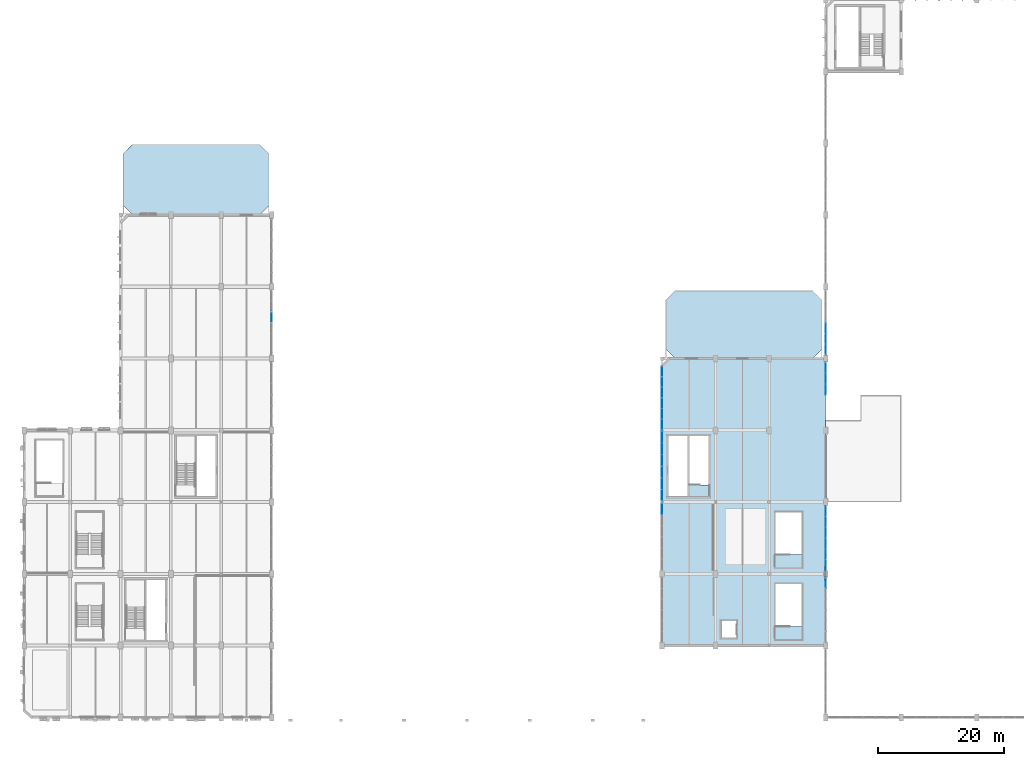
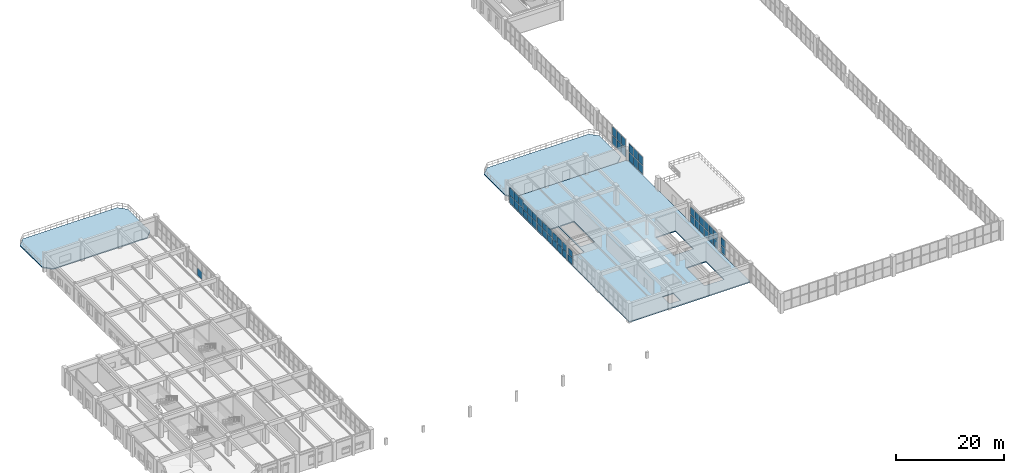
# One storey, part 56 of 80: 53 plates, 3 slabs, 11 elements without a shape of their own.
"""IFC4 building model written with IfcOpenShell, lengths in metres."""

from ifc_helpers import new_model, si_unit, direction, frame, origin, origin_2d, place, context, subcontext, project, spatial, polyline, rectangle, outline, extrude, material, layer, layer_set, type_object, element, aggregate, save


model = new_model("IFC4")

# Units and contexts
model_context = context("Model", 3, precision=1e-05, world=origin(), true_north=direction((0.0, 1.0)))
body_context = subcontext(model_context, "Body", "Model", "MODEL_VIEW")
ifc_project = project(units=[si_unit("LENGTHUNIT", "METRE"), si_unit("AREAUNIT", "SQUARE_METRE"), si_unit("VOLUMEUNIT", "CUBIC_METRE"), si_unit("PLANEANGLEUNIT", "RADIAN"), si_unit("MASSUNIT", "GRAM", prefix="KILO"), si_unit("POWERUNIT", "WATT"), si_unit("THERMODYNAMICTEMPERATUREUNIT", "KELVIN")], contexts=[model_context])

# Site, building, storey
site_placement = place(None, origin())
site = spatial("IfcSite", under=ifc_project, at=site_placement, CompositionType="ELEMENT")
building_placement = place(site_placement, origin())
building = spatial("IfcBuilding", under=site, at=building_placement, Name="Kelmbourne Parkland Aquatics Centre", CompositionType="ELEMENT")
storey_placement = place(building_placement, frame((0.0, 0.0, 10.199951171875)))
storey = spatial("IfcBuildingStorey", under=building, at=storey_placement, Name="L02", CompositionType="ELEMENT", Elevation=10.199951171875)

# Curtain wall, plates
ifc_material_1 = material(Name="Thermally broken anodised aluminium framing", Category="aluminium")
ifc_layer_1 = layer(ifc_material_1, 0.179931640625)
ifc_layer_set_1 = layer_set([ifc_layer_1], Name="Thermally broken anodised aluminium framing")
curtain_wall_type_1 = type_object("IfcCurtainWallType", Name="CW-05", PredefinedType="NOTDEFINED", material=ifc_layer_set_1)
curtain_wall_1_placement = place(storey_placement, origin())
curtain_wall_1 = element("IfcCurtainWall", 1, at=curtain_wall_1_placement, inside=storey, type_object=curtain_wall_type_1, Name="Wave-hall clerestory curtain wall CW-L02-053", PredefinedType="NOTDEFINED")
ifc_material_2 = material(Name="Double-glazed low-e laminated safety glass", Category="glass")
ifc_layer_2 = layer(ifc_material_2, 0.0419921875)
ifc_layer_set_2 = layer_set([ifc_layer_2], Name="Double-glazed low-e laminated safety glass")
plate_type_1 = type_object("IfcPlateType", Name="PL-CLR-1", PredefinedType="USERDEFINED", material=ifc_layer_set_2)
plate_1_placement = place(storey_placement, frame((128.0, 59.24169921875, 2.26220703125), z_axis=(0.0, 0.0, 1.0), x_axis=(0.0, 1.0, 0.0)))
plate_1 = element("IfcPlate", 2, at=plate_1_placement, type_object=plate_type_1, Name="CW-L02-053 clerestory glazing 1-0", ObjectType="CLERESTORY GLAZING", PredefinedType="USERDEFINED", context=body_context, shape_type="SweptSolid", body=[
    extrude(rectangle(XDim=1.601318359375, YDim=0.0419921875, at=origin_2d()), origin(), (0.0, 0.0, 1.0), 1.917236328125),
])
plate_2_placement = place(storey_placement, frame((128.0, 60.926025390625, 2.26220703125), z_axis=(0.0, 0.0, 1.0), x_axis=(0.0, 1.0, 0.0)))
plate_2 = element("IfcPlate", 3, at=plate_2_placement, type_object=plate_type_1, Name="CW-L02-053 clerestory glazing 1-1", ObjectType="CLERESTORY GLAZING", PredefinedType="USERDEFINED", context=body_context, shape_type="SweptSolid", body=[
    extrude(rectangle(XDim=1.601318359375, YDim=0.0419921875, at=origin_2d()), origin(), (0.0, 0.0, 1.0), 1.917236328125),
])
plate_3_placement = place(storey_placement, frame((128.0, 62.6103515625, 2.26220703125), z_axis=(0.0, 0.0, 1.0), x_axis=(0.0, 1.0, 0.0)))
plate_3 = element("IfcPlate", 4, at=plate_3_placement, type_object=plate_type_1, Name="CW-L02-053 clerestory glazing 1-2", ObjectType="CLERESTORY GLAZING", PredefinedType="USERDEFINED", context=body_context, shape_type="SweptSolid", body=[
    extrude(rectangle(XDim=1.601318359375, YDim=0.0419921875, at=origin_2d()), origin(), (0.0, 0.0, 1.0), 1.917236328125),
])

# Curtain wall, plate
ifc_layer_3 = layer(ifc_material_1, 0.179931640625)
ifc_layer_set_3 = layer_set([ifc_layer_3], Name="Thermally broken anodised aluminium framing")
curtain_wall_type_2 = type_object("IfcCurtainWallType", Name="CW-11", PredefinedType="NOTDEFINED", material=ifc_layer_set_3)
curtain_wall_2_placement = place(storey_placement, origin())
curtain_wall_2 = element("IfcCurtainWall", 5, at=curtain_wall_2_placement, inside=storey, type_object=curtain_wall_type_2, Name="Facade curtain wall CW-L02-203", PredefinedType="NOTDEFINED")
ifc_layer_4 = layer(ifc_material_2, 0.02392578125)
ifc_layer_set_4 = layer_set([ifc_layer_4], Name="Double-glazed low-e laminated safety glass")
plate_type_2 = type_object("IfcPlateType", Name="PL-CWP-1", PredefinedType="CURTAIN_PANEL", material=ifc_layer_set_4)
plate_4_placement = place(storey_placement, frame((102.0, 33.925048828125, 1.756591796875), z_axis=(0.0, 0.0, 1.0), x_axis=(0.0, 1.0, 0.0)))
plate_4 = element("IfcPlate", 6, at=plate_4_placement, type_object=plate_type_2, Name="CW-L02-203 vision glazing 1-2", PredefinedType="CURTAIN_PANEL", context=body_context, shape_type="SweptSolid", body=[
    extrude(rectangle(XDim=1.66796875, YDim=0.02392578125, at=origin_2d()), origin(), (0.0, 0.0, 1.0), 1.41162109375),
])

# Curtain wall, plates
ifc_layer_5 = layer(ifc_material_1, 0.179931640625)
ifc_layer_set_5 = layer_set([ifc_layer_5], Name="Thermally broken anodised aluminium framing")
curtain_wall_type_3 = type_object("IfcCurtainWallType", Name="CW-12", PredefinedType="NOTDEFINED", material=ifc_layer_set_5)
curtain_wall_3_placement = place(storey_placement, origin())
curtain_wall_3 = element("IfcCurtainWall", 7, at=curtain_wall_3_placement, inside=storey, type_object=curtain_wall_type_3, Name="Facade curtain wall CW-L02-204", PredefinedType="NOTDEFINED")
plate_5_placement = place(storey_placement, frame((102.0, 36.11376953125, 0.1171875), z_axis=(0.0, 0.0, 1.0), x_axis=(0.0, 1.0, 0.0)))
plate_5 = element("IfcPlate", 8, at=plate_5_placement, type_object=plate_type_2, Name="CW-L02-204 vision glazing 0-0", PredefinedType="CURTAIN_PANEL", context=body_context, shape_type="SweptSolid", body=[
    extrude(rectangle(XDim=1.7255859375, YDim=0.02392578125, at=origin_2d()), origin(), (0.0, 0.0, 1.0), 1.50146484375),
])
plate_6_placement = place(storey_placement, frame((102.0, 37.932373046875, 0.1171875), z_axis=(0.0, 0.0, 1.0), x_axis=(0.0, 1.0, 0.0)))
plate_6 = element("IfcPlate", 9, at=plate_6_placement, type_object=plate_type_2, Name="CW-L02-204 vision glazing 0-1", PredefinedType="CURTAIN_PANEL", context=body_context, shape_type="SweptSolid", body=[
    extrude(rectangle(XDim=1.7255859375, YDim=0.02392578125, at=origin_2d()), origin(), (0.0, 0.0, 1.0), 1.50146484375),
])
plate_7_placement = place(storey_placement, frame((102.0, 39.750732421875, 0.1171875), z_axis=(0.0, 0.0, 1.0), x_axis=(0.0, 1.0, 0.0)))
plate_7 = element("IfcPlate", 10, at=plate_7_placement, type_object=plate_type_2, Name="CW-L02-204 vision glazing 0-2", PredefinedType="CURTAIN_PANEL", context=body_context, shape_type="SweptSolid", body=[
    extrude(rectangle(XDim=1.7255859375, YDim=0.02392578125, at=origin_2d()), origin(), (0.0, 0.0, 1.0), 1.50146484375),
])

ifc_layer_6 = layer(ifc_material_1, 0.179931640625)
ifc_layer_set_6 = layer_set([ifc_layer_6], Name="Thermally broken anodised aluminium framing")
curtain_wall_type_4 = type_object("IfcCurtainWallType", Name="CW-14", PredefinedType="NOTDEFINED", material=ifc_layer_set_6)
curtain_wall_4_placement = place(storey_placement, origin())
curtain_wall_4 = element("IfcCurtainWall", 11, at=curtain_wall_4_placement, inside=storey, type_object=curtain_wall_type_4, Name="Facade curtain wall CW-L02-206", PredefinedType="NOTDEFINED")
plate_8_placement = place(storey_placement, frame((102.0, 47.391357421875, 1.756591796875), z_axis=(0.0, 0.0, 1.0), x_axis=(0.0, 1.0, 0.0)))
plate_8 = element("IfcPlate", 12, at=plate_8_placement, type_object=plate_type_2, Name="CW-L02-206 vision glazing 1-0", PredefinedType="CURTAIN_PANEL", context=body_context, shape_type="SweptSolid", body=[
    extrude(rectangle(XDim=1.5908203125, YDim=0.02392578125, at=origin_2d()), origin(), (0.0, 0.0, 1.0), 1.41162109375),
])
plate_9_placement = place(storey_placement, frame((102.0, 49.04541015625, 1.756591796875), z_axis=(0.0, 0.0, 1.0), x_axis=(0.0, 1.0, 0.0)))
plate_9 = element("IfcPlate", 13, at=plate_9_placement, type_object=plate_type_2, Name="CW-L02-206 vision glazing 1-1", PredefinedType="CURTAIN_PANEL", context=body_context, shape_type="SweptSolid", body=[
    extrude(rectangle(XDim=1.5908203125, YDim=0.02392578125, at=origin_2d()), origin(), (0.0, 0.0, 1.0), 1.41162109375),
])
plate_10_placement = place(storey_placement, frame((102.0, 50.69921875, 1.756591796875), z_axis=(0.0, 0.0, 1.0), x_axis=(0.0, 1.0, 0.0)))
plate_10 = element("IfcPlate", 14, at=plate_10_placement, type_object=plate_type_2, Name="CW-L02-206 vision glazing 1-2", PredefinedType="CURTAIN_PANEL", context=body_context, shape_type="SweptSolid", body=[
    extrude(rectangle(XDim=1.5908203125, YDim=0.02392578125, at=origin_2d()), origin(), (0.0, 0.0, 1.0), 1.41162109375),
])

ifc_layer_7 = layer(ifc_material_1, 0.179931640625)
ifc_layer_set_7 = layer_set([ifc_layer_7], Name="Thermally broken anodised aluminium framing")
curtain_wall_type_5 = type_object("IfcCurtainWallType", Name="CW-15", PredefinedType="NOTDEFINED", material=ifc_layer_set_7)
curtain_wall_5_placement = place(storey_placement, origin())
curtain_wall_5 = element("IfcCurtainWall", 15, at=curtain_wall_5_placement, inside=storey, type_object=curtain_wall_type_5, Name="Facade curtain wall CW-L02-207", PredefinedType="NOTDEFINED")
plate_11_placement = place(storey_placement, frame((102.0, 52.43115234375, 0.116943359375), z_axis=(0.0, 0.0, 1.0), x_axis=(0.0, 1.0, 0.0)))
plate_11 = element("IfcPlate", 16, at=plate_11_placement, type_object=plate_type_2, Name="CW-L02-207 vision glazing 0-0", PredefinedType="CURTAIN_PANEL", context=body_context, shape_type="SweptSolid", body=[
    extrude(rectangle(XDim=1.577392578125, YDim=0.02392578125, at=origin_2d()), origin(), (0.0, 0.0, 1.0), 1.68505859375),
])
plate_12_placement = place(storey_placement, frame((102.0, 54.081787109375, 0.116943359375), z_axis=(0.0, 0.0, 1.0), x_axis=(0.0, 1.0, 0.0)))
plate_12 = element("IfcPlate", 17, at=plate_12_placement, type_object=plate_type_2, Name="CW-L02-207 vision glazing 0-1", PredefinedType="CURTAIN_PANEL", context=body_context, shape_type="SweptSolid", body=[
    extrude(rectangle(XDim=1.577392578125, YDim=0.02392578125, at=origin_2d()), origin(), (0.0, 0.0, 1.0), 1.68505859375),
])
plate_13_placement = place(storey_placement, frame((102.0, 55.732421875, 0.116943359375), z_axis=(0.0, 0.0, 1.0), x_axis=(0.0, 1.0, 0.0)))
plate_13 = element("IfcPlate", 18, at=plate_13_placement, type_object=plate_type_2, Name="CW-L02-207 vision glazing 0-2", PredefinedType="CURTAIN_PANEL", context=body_context, shape_type="SweptSolid", body=[
    extrude(rectangle(XDim=1.577392578125, YDim=0.02392578125, at=origin_2d()), origin(), (0.0, 0.0, 1.0), 1.68505859375),
])

# Curtain wall, plate
ifc_layer_8 = layer(ifc_material_1, 0.179931640625)
ifc_layer_set_8 = layer_set([ifc_layer_8], Name="Thermally broken anodised aluminium framing")
curtain_wall_type_6 = type_object("IfcCurtainWallType", Name="CW-17", PredefinedType="NOTDEFINED", material=ifc_layer_set_8)
curtain_wall_6_placement = place(storey_placement, origin())
curtain_wall_6 = element("IfcCurtainWall", 19, at=curtain_wall_6_placement, inside=storey, type_object=curtain_wall_type_6, Name="Facade curtain wall CW-L02-209", PredefinedType="NOTDEFINED")
plate_14_placement = place(storey_placement, frame((128.0, 22.155029296875, 1.93994140625), z_axis=(0.0, 0.0, 1.0), x_axis=(0.0, 1.0, 0.0)))
plate_14 = element("IfcPlate", 20, at=plate_14_placement, type_object=plate_type_2, Name="CW-L02-209 vision glazing 1-2", PredefinedType="CURTAIN_PANEL", context=body_context, shape_type="SweptSolid", body=[
    extrude(rectangle(XDim=1.587890625, YDim=0.02392578125, at=origin_2d()), origin(), (0.0, 0.0, 1.0), 1.594970703125),
])

# Curtain wall, plates
ifc_layer_9 = layer(ifc_material_1, 0.179931640625)
ifc_layer_set_9 = layer_set([ifc_layer_9], Name="Thermally broken anodised aluminium framing")
curtain_wall_type_7 = type_object("IfcCurtainWallType", Name="CW-18", PredefinedType="NOTDEFINED", material=ifc_layer_set_9)
curtain_wall_7_placement = place(storey_placement, origin())
curtain_wall_7 = element("IfcCurtainWall", 21, at=curtain_wall_7_placement, inside=storey, type_object=curtain_wall_type_7, Name="Facade curtain wall CW-L02-210", PredefinedType="NOTDEFINED")
plate_15_placement = place(storey_placement, frame((128.0, 25.03173828125, 0.116943359375), z_axis=(0.0, 0.0, 1.0), x_axis=(0.0, 1.0, 0.0)))
plate_15 = element("IfcPlate", 22, at=plate_15_placement, type_object=plate_type_2, Name="CW-L02-210 vision glazing 0-0", PredefinedType="CURTAIN_PANEL", context=body_context, shape_type="SweptSolid", body=[
    extrude(rectangle(XDim=1.641357421875, YDim=0.02392578125, at=origin_2d()), origin(), (0.0, 0.0, 1.0), 1.68505859375),
])
plate_16_placement = place(storey_placement, frame((128.0, 26.72607421875, 0.116943359375), z_axis=(0.0, 0.0, 1.0), x_axis=(0.0, 1.0, 0.0)))
plate_16 = element("IfcPlate", 23, at=plate_16_placement, type_object=plate_type_2, Name="CW-L02-210 vision glazing 0-1", PredefinedType="CURTAIN_PANEL", context=body_context, shape_type="SweptSolid", body=[
    extrude(rectangle(XDim=1.641357421875, YDim=0.02392578125, at=origin_2d()), origin(), (0.0, 0.0, 1.0), 1.68505859375),
])
plate_17_placement = place(storey_placement, frame((128.0, 28.42041015625, 0.116943359375), z_axis=(0.0, 0.0, 1.0), x_axis=(0.0, 1.0, 0.0)))
plate_17 = element("IfcPlate", 24, at=plate_17_placement, type_object=plate_type_2, Name="CW-L02-210 vision glazing 0-2", PredefinedType="CURTAIN_PANEL", context=body_context, shape_type="SweptSolid", body=[
    extrude(rectangle(XDim=1.641357421875, YDim=0.02392578125, at=origin_2d()), origin(), (0.0, 0.0, 1.0), 1.68505859375),
])

ifc_layer_10 = layer(ifc_material_1, 0.179931640625)
ifc_layer_set_10 = layer_set([ifc_layer_10], Name="Thermally broken anodised aluminium framing")
curtain_wall_type_8 = type_object("IfcCurtainWallType", Name="CW-20", PredefinedType="NOTDEFINED", material=ifc_layer_set_10)
curtain_wall_8_placement = place(storey_placement, origin())
curtain_wall_8 = element("IfcCurtainWall", 25, at=curtain_wall_8_placement, inside=storey, type_object=curtain_wall_type_8, Name="Facade curtain wall CW-L02-212", PredefinedType="NOTDEFINED")
plate_18_placement = place(storey_placement, frame((128.0, 52.903076171875, 2.18408203125), z_axis=(0.0, 0.0, 1.0), x_axis=(0.0, 1.0, 0.0)))
plate_18 = element("IfcPlate", 26, at=plate_18_placement, type_object=plate_type_2, Name="CW-L02-212 vision glazing 1-0", PredefinedType="CURTAIN_PANEL", context=body_context, shape_type="SweptSolid", body=[
    extrude(rectangle(XDim=1.64794921875, YDim=0.02392578125, at=origin_2d()), origin(), (0.0, 0.0, 1.0), 1.839111328125),
])
plate_19_placement = place(storey_placement, frame((128.0, 54.6240234375, 2.18408203125), z_axis=(0.0, 0.0, 1.0), x_axis=(0.0, 1.0, 0.0)))
plate_19 = element("IfcPlate", 27, at=plate_19_placement, type_object=plate_type_2, Name="CW-L02-212 vision glazing 1-1", PredefinedType="CURTAIN_PANEL", context=body_context, shape_type="SweptSolid", body=[
    extrude(rectangle(XDim=1.64794921875, YDim=0.02392578125, at=origin_2d()), origin(), (0.0, 0.0, 1.0), 1.839111328125),
])
plate_20_placement = place(storey_placement, frame((128.0, 56.344970703125, 2.18408203125), z_axis=(0.0, 0.0, 1.0), x_axis=(0.0, 1.0, 0.0)))
plate_20 = element("IfcPlate", 28, at=plate_20_placement, type_object=plate_type_2, Name="CW-L02-212 vision glazing 1-2", PredefinedType="CURTAIN_PANEL", context=body_context, shape_type="SweptSolid", body=[
    extrude(rectangle(XDim=1.64794921875, YDim=0.02392578125, at=origin_2d()), origin(), (0.0, 0.0, 1.0), 1.839111328125),
])

# Curtain wall, plate
curtain_wall_9_placement = place(storey_placement, origin())
curtain_wall_9 = element("IfcCurtainWall", 29, at=curtain_wall_9_placement, inside=storey, type_object=curtain_wall_type_3, Name="Facade curtain wall CW-L02-252", PredefinedType="NOTDEFINED")
plate_21_placement = place(storey_placement, frame((40.0, 64.38623046875, 0.116943359375), z_axis=(0.0, 0.0, 1.0), x_axis=(0.0, 1.0, 0.0)))
plate_21 = element("IfcPlate", 30, at=plate_21_placement, type_object=plate_type_2, Name="CW-L02-252 vision glazing 0-0", PredefinedType="CURTAIN_PANEL", context=body_context, shape_type="SweptSolid", body=[
    extrude(rectangle(XDim=1.61474609375, YDim=0.02392578125, at=origin_2d()), origin(), (0.0, 0.0, 1.0), 1.68505859375),
])
aggregate(curtain_wall_9, [plate_21])

# Plate
ifc_layer_11 = layer(ifc_material_2, 0.035888671875)
ifc_layer_set_11 = layer_set([ifc_layer_11], Name="Double-glazed low-e laminated safety glass")
plate_type_3 = type_object("IfcPlateType", Name="PL-CWP-2", PredefinedType="CURTAIN_PANEL", material=ifc_layer_set_11)
plate_22_placement = place(storey_placement, frame((102.0, 36.11376953125, 1.7265625), z_axis=(0.0, 0.0, 1.0), x_axis=(0.0, 1.0, 0.0)))
plate_22 = element("IfcPlate", 31, at=plate_22_placement, type_object=plate_type_3, Name="CW-L02-204 vision glazing 1-0", PredefinedType="CURTAIN_PANEL", context=body_context, shape_type="SweptSolid", body=[
    extrude(rectangle(XDim=1.7255859375, YDim=0.035888671875, at=origin_2d()), origin(), (0.0, 0.0, 1.0), 1.50146484375),
])

plate_23_placement = place(storey_placement, frame((102.0, 37.932373046875, 1.7265625), z_axis=(0.0, 0.0, 1.0), x_axis=(0.0, 1.0, 0.0)))
plate_23 = element("IfcPlate", 32, at=plate_23_placement, type_object=plate_type_3, Name="CW-L02-204 vision glazing 1-1", PredefinedType="CURTAIN_PANEL", context=body_context, shape_type="SweptSolid", body=[
    extrude(rectangle(XDim=1.7255859375, YDim=0.035888671875, at=origin_2d()), origin(), (0.0, 0.0, 1.0), 1.50146484375),
])

plate_24_placement = place(storey_placement, frame((102.0, 39.750732421875, 1.7265625), z_axis=(0.0, 0.0, 1.0), x_axis=(0.0, 1.0, 0.0)))
plate_24 = element("IfcPlate", 33, at=plate_24_placement, type_object=plate_type_3, Name="CW-L02-204 vision glazing 1-2", PredefinedType="CURTAIN_PANEL", context=body_context, shape_type="SweptSolid", body=[
    extrude(rectangle(XDim=1.7255859375, YDim=0.035888671875, at=origin_2d()), origin(), (0.0, 0.0, 1.0), 1.50146484375),
])

aggregate(curtain_wall_3, [plate_5, plate_6, plate_7, plate_22, plate_23, plate_24])

# Curtain wall, plates
ifc_layer_12 = layer(ifc_material_1, 0.179931640625)
ifc_layer_set_12 = layer_set([ifc_layer_12], Name="Thermally broken anodised aluminium framing")
curtain_wall_type_9 = type_object("IfcCurtainWallType", Name="CW-13", PredefinedType="NOTDEFINED", material=ifc_layer_set_12)
curtain_wall_10_placement = place(storey_placement, origin())
curtain_wall_10 = element("IfcCurtainWall", 34, at=curtain_wall_10_placement, inside=storey, type_object=curtain_wall_type_9, Name="Facade curtain wall CW-L02-205", PredefinedType="NOTDEFINED")
plate_25_placement = place(storey_placement, frame((102.0, 41.660888671875, 0.14697265625), z_axis=(0.0, 0.0, 1.0), x_axis=(0.0, 1.0, 0.0)))
plate_25 = element("IfcPlate", 35, at=plate_25_placement, type_object=plate_type_3, Name="CW-L02-205 vision glazing 0-0", PredefinedType="CURTAIN_PANEL", context=body_context, shape_type="SweptSolid", body=[
    extrude(rectangle(XDim=1.77880859375, YDim=0.035888671875, at=origin_2d()), origin(), (0.0, 0.0, 1.0), 1.45654296875),
])
plate_26_placement = place(storey_placement, frame((102.0, 43.492919921875, 0.14697265625), z_axis=(0.0, 0.0, 1.0), x_axis=(0.0, 1.0, 0.0)))
plate_26 = element("IfcPlate", 36, at=plate_26_placement, type_object=plate_type_3, Name="CW-L02-205 vision glazing 0-1", PredefinedType="CURTAIN_PANEL", context=body_context, shape_type="SweptSolid", body=[
    extrude(rectangle(XDim=1.77880859375, YDim=0.035888671875, at=origin_2d()), origin(), (0.0, 0.0, 1.0), 1.45654296875),
])
plate_27_placement = place(storey_placement, frame((102.0, 45.32470703125, 0.14697265625), z_axis=(0.0, 0.0, 1.0), x_axis=(0.0, 1.0, 0.0)))
plate_27 = element("IfcPlate", 37, at=plate_27_placement, type_object=plate_type_3, Name="CW-L02-205 vision glazing 0-2", PredefinedType="CURTAIN_PANEL", context=body_context, shape_type="SweptSolid", body=[
    extrude(rectangle(XDim=1.77880859375, YDim=0.035888671875, at=origin_2d()), origin(), (0.0, 0.0, 1.0), 1.45654296875),
])

# Plate
plate_28_placement = place(storey_placement, frame((102.0, 52.43115234375, 1.909912109375), z_axis=(0.0, 0.0, 1.0), x_axis=(0.0, 1.0, 0.0)))
plate_28 = element("IfcPlate", 38, at=plate_28_placement, type_object=plate_type_3, Name="CW-L02-207 vision glazing 1-0", PredefinedType="CURTAIN_PANEL", context=body_context, shape_type="SweptSolid", body=[
    extrude(rectangle(XDim=1.577392578125, YDim=0.035888671875, at=origin_2d()), origin(), (0.0, 0.0, 1.0), 1.68505859375),
])

plate_29_placement = place(storey_placement, frame((102.0, 54.081787109375, 1.909912109375), z_axis=(0.0, 0.0, 1.0), x_axis=(0.0, 1.0, 0.0)))
plate_29 = element("IfcPlate", 39, at=plate_29_placement, type_object=plate_type_3, Name="CW-L02-207 vision glazing 1-1", PredefinedType="CURTAIN_PANEL", context=body_context, shape_type="SweptSolid", body=[
    extrude(rectangle(XDim=1.577392578125, YDim=0.035888671875, at=origin_2d()), origin(), (0.0, 0.0, 1.0), 1.68505859375),
])

plate_30_placement = place(storey_placement, frame((102.0, 55.732421875, 1.909912109375), z_axis=(0.0, 0.0, 1.0), x_axis=(0.0, 1.0, 0.0)))
plate_30 = element("IfcPlate", 40, at=plate_30_placement, type_object=plate_type_3, Name="CW-L02-207 vision glazing 1-2", PredefinedType="CURTAIN_PANEL", context=body_context, shape_type="SweptSolid", body=[
    extrude(rectangle(XDim=1.577392578125, YDim=0.035888671875, at=origin_2d()), origin(), (0.0, 0.0, 1.0), 1.68505859375),
])

aggregate(curtain_wall_5, [plate_11, plate_12, plate_13, plate_28, plate_29, plate_30])

plate_31_placement = place(storey_placement, frame((128.0, 25.03173828125, 1.909912109375), z_axis=(0.0, 0.0, 1.0), x_axis=(0.0, 1.0, 0.0)))
plate_31 = element("IfcPlate", 41, at=plate_31_placement, type_object=plate_type_3, Name="CW-L02-210 vision glazing 1-0", PredefinedType="CURTAIN_PANEL", context=body_context, shape_type="SweptSolid", body=[
    extrude(rectangle(XDim=1.641357421875, YDim=0.035888671875, at=origin_2d()), origin(), (0.0, 0.0, 1.0), 1.68505859375),
])

plate_32_placement = place(storey_placement, frame((128.0, 26.72607421875, 1.909912109375), z_axis=(0.0, 0.0, 1.0), x_axis=(0.0, 1.0, 0.0)))
plate_32 = element("IfcPlate", 42, at=plate_32_placement, type_object=plate_type_3, Name="CW-L02-210 vision glazing 1-1", PredefinedType="CURTAIN_PANEL", context=body_context, shape_type="SweptSolid", body=[
    extrude(rectangle(XDim=1.641357421875, YDim=0.035888671875, at=origin_2d()), origin(), (0.0, 0.0, 1.0), 1.68505859375),
])

plate_33_placement = place(storey_placement, frame((128.0, 28.42041015625, 1.909912109375), z_axis=(0.0, 0.0, 1.0), x_axis=(0.0, 1.0, 0.0)))
plate_33 = element("IfcPlate", 43, at=plate_33_placement, type_object=plate_type_3, Name="CW-L02-210 vision glazing 1-2", PredefinedType="CURTAIN_PANEL", context=body_context, shape_type="SweptSolid", body=[
    extrude(rectangle(XDim=1.641357421875, YDim=0.035888671875, at=origin_2d()), origin(), (0.0, 0.0, 1.0), 1.68505859375),
])

aggregate(curtain_wall_7, [plate_15, plate_16, plate_17, plate_31, plate_32, plate_33])

# Curtain wall, plates
ifc_layer_13 = layer(ifc_material_1, 0.179931640625)
ifc_layer_set_13 = layer_set([ifc_layer_13], Name="Thermally broken anodised aluminium framing")
curtain_wall_type_10 = type_object("IfcCurtainWallType", Name="CW-19", PredefinedType="NOTDEFINED", material=ifc_layer_set_13)
curtain_wall_11_placement = place(storey_placement, origin())
curtain_wall_11 = element("IfcCurtainWall", 44, at=curtain_wall_11_placement, inside=storey, type_object=curtain_wall_type_10, Name="Facade curtain wall CW-L02-211", PredefinedType="NOTDEFINED")
plate_34_placement = place(storey_placement, frame((128.0, 30.18310546875, 0.14697265625), z_axis=(0.0, 0.0, 1.0), x_axis=(0.0, 1.0, 0.0)))
plate_34 = element("IfcPlate", 45, at=plate_34_placement, type_object=plate_type_3, Name="CW-L02-211 vision glazing 0-0", PredefinedType="CURTAIN_PANEL", context=body_context, shape_type="SweptSolid", body=[
    extrude(rectangle(XDim=1.6279296875, YDim=0.035888671875, at=origin_2d()), origin(), (0.0, 0.0, 1.0), 1.639892578125),
])
plate_35_placement = place(storey_placement, frame((128.0, 31.8740234375, 0.14697265625), z_axis=(0.0, 0.0, 1.0), x_axis=(0.0, 1.0, 0.0)))
plate_35 = element("IfcPlate", 46, at=plate_35_placement, type_object=plate_type_3, Name="CW-L02-211 vision glazing 0-1", PredefinedType="CURTAIN_PANEL", context=body_context, shape_type="SweptSolid", body=[
    extrude(rectangle(XDim=1.6279296875, YDim=0.035888671875, at=origin_2d()), origin(), (0.0, 0.0, 1.0), 1.639892578125),
])
plate_36_placement = place(storey_placement, frame((128.0, 33.56494140625, 0.14697265625), z_axis=(0.0, 0.0, 1.0), x_axis=(0.0, 1.0, 0.0)))
plate_36 = element("IfcPlate", 47, at=plate_36_placement, type_object=plate_type_3, Name="CW-L02-211 vision glazing 0-2", PredefinedType="CURTAIN_PANEL", context=body_context, shape_type="SweptSolid", body=[
    extrude(rectangle(XDim=1.6279296875, YDim=0.035888671875, at=origin_2d()), origin(), (0.0, 0.0, 1.0), 1.639892578125),
])

# Plate
ifc_layer_14 = layer(ifc_material_2, 0.048095703125)
ifc_layer_set_14 = layer_set([ifc_layer_14], Name="Double-glazed low-e laminated safety glass")
plate_type_4 = type_object("IfcPlateType", Name="PL-CWP-3", PredefinedType="CURTAIN_PANEL", material=ifc_layer_set_14)
plate_37_placement = place(storey_placement, frame((128.0, 59.24169921875, 0.17724609375), z_axis=(0.0, 0.0, 1.0), x_axis=(0.0, 1.0, 0.0)))
plate_37 = element("IfcPlate", 48, at=plate_37_placement, type_object=plate_type_4, Name="CW-L02-053 vision glazing 0-0", PredefinedType="CURTAIN_PANEL", context=body_context, shape_type="SweptSolid", body=[
    extrude(rectangle(XDim=1.601318359375, YDim=0.048095703125, at=origin_2d()), origin(), (0.0, 0.0, 1.0), 1.917236328125),
])

plate_38_placement = place(storey_placement, frame((128.0, 60.926025390625, 0.17724609375), z_axis=(0.0, 0.0, 1.0), x_axis=(0.0, 1.0, 0.0)))
plate_38 = element("IfcPlate", 49, at=plate_38_placement, type_object=plate_type_4, Name="CW-L02-053 vision glazing 0-1", PredefinedType="CURTAIN_PANEL", context=body_context, shape_type="SweptSolid", body=[
    extrude(rectangle(XDim=1.601318359375, YDim=0.048095703125, at=origin_2d()), origin(), (0.0, 0.0, 1.0), 1.917236328125),
])

plate_39_placement = place(storey_placement, frame((128.0, 62.6103515625, 0.17724609375), z_axis=(0.0, 0.0, 1.0), x_axis=(0.0, 1.0, 0.0)))
plate_39 = element("IfcPlate", 50, at=plate_39_placement, type_object=plate_type_4, Name="CW-L02-053 vision glazing 0-2", PredefinedType="CURTAIN_PANEL", context=body_context, shape_type="SweptSolid", body=[
    extrude(rectangle(XDim=1.601318359375, YDim=0.048095703125, at=origin_2d()), origin(), (0.0, 0.0, 1.0), 1.917236328125),
])

aggregate(curtain_wall_1, [plate_37, plate_38, plate_39, plate_1, plate_2, plate_3])

plate_40_placement = place(storey_placement, frame((102.0, 33.925048828125, 0.177001953125), z_axis=(0.0, 0.0, 1.0), x_axis=(0.0, 1.0, 0.0)))
plate_40 = element("IfcPlate", 51, at=plate_40_placement, type_object=plate_type_4, Name="CW-L02-203 vision glazing 0-2", PredefinedType="CURTAIN_PANEL", context=body_context, shape_type="SweptSolid", body=[
    extrude(rectangle(XDim=1.66796875, YDim=0.048095703125, at=origin_2d()), origin(), (0.0, 0.0, 1.0), 1.41162109375),
])

aggregate(curtain_wall_2, [plate_40, plate_4])

plate_41_placement = place(storey_placement, frame((102.0, 41.660888671875, 1.74169921875), z_axis=(0.0, 0.0, 1.0), x_axis=(0.0, 1.0, 0.0)))
plate_41 = element("IfcPlate", 52, at=plate_41_placement, type_object=plate_type_4, Name="CW-L02-205 vision glazing 1-0", PredefinedType="CURTAIN_PANEL", context=body_context, shape_type="SweptSolid", body=[
    extrude(rectangle(XDim=1.77880859375, YDim=0.048095703125, at=origin_2d()), origin(), (0.0, 0.0, 1.0), 1.45654296875),
])

plate_42_placement = place(storey_placement, frame((102.0, 43.492919921875, 1.74169921875), z_axis=(0.0, 0.0, 1.0), x_axis=(0.0, 1.0, 0.0)))
plate_42 = element("IfcPlate", 53, at=plate_42_placement, type_object=plate_type_4, Name="CW-L02-205 vision glazing 1-1", PredefinedType="CURTAIN_PANEL", context=body_context, shape_type="SweptSolid", body=[
    extrude(rectangle(XDim=1.77880859375, YDim=0.048095703125, at=origin_2d()), origin(), (0.0, 0.0, 1.0), 1.45654296875),
])

plate_43_placement = place(storey_placement, frame((102.0, 45.32470703125, 1.74169921875), z_axis=(0.0, 0.0, 1.0), x_axis=(0.0, 1.0, 0.0)))
plate_43 = element("IfcPlate", 54, at=plate_43_placement, type_object=plate_type_4, Name="CW-L02-205 vision glazing 1-2", PredefinedType="CURTAIN_PANEL", context=body_context, shape_type="SweptSolid", body=[
    extrude(rectangle(XDim=1.77880859375, YDim=0.048095703125, at=origin_2d()), origin(), (0.0, 0.0, 1.0), 1.45654296875),
])

aggregate(curtain_wall_10, [plate_25, plate_26, plate_27, plate_41, plate_42, plate_43])

plate_44_placement = place(storey_placement, frame((102.0, 47.391357421875, 0.177001953125), z_axis=(0.0, 0.0, 1.0), x_axis=(0.0, 1.0, 0.0)))
plate_44 = element("IfcPlate", 55, at=plate_44_placement, type_object=plate_type_4, Name="CW-L02-206 vision glazing 0-0", PredefinedType="CURTAIN_PANEL", context=body_context, shape_type="SweptSolid", body=[
    extrude(rectangle(XDim=1.5908203125, YDim=0.048095703125, at=origin_2d()), origin(), (0.0, 0.0, 1.0), 1.41162109375),
])

plate_45_placement = place(storey_placement, frame((102.0, 49.04541015625, 0.177001953125), z_axis=(0.0, 0.0, 1.0), x_axis=(0.0, 1.0, 0.0)))
plate_45 = element("IfcPlate", 56, at=plate_45_placement, type_object=plate_type_4, Name="CW-L02-206 vision glazing 0-1", PredefinedType="CURTAIN_PANEL", context=body_context, shape_type="SweptSolid", body=[
    extrude(rectangle(XDim=1.5908203125, YDim=0.048095703125, at=origin_2d()), origin(), (0.0, 0.0, 1.0), 1.41162109375),
])

plate_46_placement = place(storey_placement, frame((102.0, 50.69921875, 0.177001953125), z_axis=(0.0, 0.0, 1.0), x_axis=(0.0, 1.0, 0.0)))
plate_46 = element("IfcPlate", 57, at=plate_46_placement, type_object=plate_type_4, Name="CW-L02-206 vision glazing 0-2", PredefinedType="CURTAIN_PANEL", context=body_context, shape_type="SweptSolid", body=[
    extrude(rectangle(XDim=1.5908203125, YDim=0.048095703125, at=origin_2d()), origin(), (0.0, 0.0, 1.0), 1.41162109375),
])

aggregate(curtain_wall_4, [plate_44, plate_45, plate_46, plate_8, plate_9, plate_10])

plate_47_placement = place(storey_placement, frame((128.0, 22.155029296875, 0.17724609375), z_axis=(0.0, 0.0, 1.0), x_axis=(0.0, 1.0, 0.0)))
plate_47 = element("IfcPlate", 58, at=plate_47_placement, type_object=plate_type_4, Name="CW-L02-209 vision glazing 0-2", PredefinedType="CURTAIN_PANEL", context=body_context, shape_type="SweptSolid", body=[
    extrude(rectangle(XDim=1.587890625, YDim=0.048095703125, at=origin_2d()), origin(), (0.0, 0.0, 1.0), 1.594970703125),
])

aggregate(curtain_wall_6, [plate_47, plate_14])

plate_48_placement = place(storey_placement, frame((128.0, 30.18310546875, 1.92529296875), z_axis=(0.0, 0.0, 1.0), x_axis=(0.0, 1.0, 0.0)))
plate_48 = element("IfcPlate", 59, at=plate_48_placement, type_object=plate_type_4, Name="CW-L02-211 vision glazing 1-0", PredefinedType="CURTAIN_PANEL", context=body_context, shape_type="SweptSolid", body=[
    extrude(rectangle(XDim=1.6279296875, YDim=0.048095703125, at=origin_2d()), origin(), (0.0, 0.0, 1.0), 1.639892578125),
])

plate_49_placement = place(storey_placement, frame((128.0, 31.8740234375, 1.92529296875), z_axis=(0.0, 0.0, 1.0), x_axis=(0.0, 1.0, 0.0)))
plate_49 = element("IfcPlate", 60, at=plate_49_placement, type_object=plate_type_4, Name="CW-L02-211 vision glazing 1-1", PredefinedType="CURTAIN_PANEL", context=body_context, shape_type="SweptSolid", body=[
    extrude(rectangle(XDim=1.6279296875, YDim=0.048095703125, at=origin_2d()), origin(), (0.0, 0.0, 1.0), 1.639892578125),
])

plate_50_placement = place(storey_placement, frame((128.0, 33.56494140625, 1.92529296875), z_axis=(0.0, 0.0, 1.0), x_axis=(0.0, 1.0, 0.0)))
plate_50 = element("IfcPlate", 61, at=plate_50_placement, type_object=plate_type_4, Name="CW-L02-211 vision glazing 1-2", PredefinedType="CURTAIN_PANEL", context=body_context, shape_type="SweptSolid", body=[
    extrude(rectangle(XDim=1.6279296875, YDim=0.048095703125, at=origin_2d()), origin(), (0.0, 0.0, 1.0), 1.639892578125),
])

aggregate(curtain_wall_11, [plate_34, plate_35, plate_36, plate_48, plate_49, plate_50])

plate_51_placement = place(storey_placement, frame((128.0, 52.903076171875, 0.1767578125), z_axis=(0.0, 0.0, 1.0), x_axis=(0.0, 1.0, 0.0)))
plate_51 = element("IfcPlate", 62, at=plate_51_placement, type_object=plate_type_4, Name="CW-L02-212 vision glazing 0-0", PredefinedType="CURTAIN_PANEL", context=body_context, shape_type="SweptSolid", body=[
    extrude(rectangle(XDim=1.64794921875, YDim=0.048095703125, at=origin_2d()), origin(), (0.0, 0.0, 1.0), 1.839111328125),
])

plate_52_placement = place(storey_placement, frame((128.0, 54.6240234375, 0.1767578125), z_axis=(0.0, 0.0, 1.0), x_axis=(0.0, 1.0, 0.0)))
plate_52 = element("IfcPlate", 63, at=plate_52_placement, type_object=plate_type_4, Name="CW-L02-212 vision glazing 0-1", PredefinedType="CURTAIN_PANEL", context=body_context, shape_type="SweptSolid", body=[
    extrude(rectangle(XDim=1.64794921875, YDim=0.048095703125, at=origin_2d()), origin(), (0.0, 0.0, 1.0), 1.839111328125),
])

plate_53_placement = place(storey_placement, frame((128.0, 56.344970703125, 0.1767578125), z_axis=(0.0, 0.0, 1.0), x_axis=(0.0, 1.0, 0.0)))
plate_53 = element("IfcPlate", 64, at=plate_53_placement, type_object=plate_type_4, Name="CW-L02-212 vision glazing 0-2", PredefinedType="CURTAIN_PANEL", context=body_context, shape_type="SweptSolid", body=[
    extrude(rectangle(XDim=1.64794921875, YDim=0.048095703125, at=origin_2d()), origin(), (0.0, 0.0, 1.0), 1.839111328125),
])

aggregate(curtain_wall_8, [plate_51, plate_52, plate_53, plate_18, plate_19, plate_20])

# Slabs
ifc_material_3 = material(Name="Concrete C40/50", Category="concrete")
ifc_layer_15 = layer(ifc_material_3, 0.239990234375)
ifc_layer_set_15 = layer_set([ifc_layer_15], Name="Concrete C40/50")
slab_type_1 = type_object("IfcSlabType", Name="SL-F2", PredefinedType="FLOOR", material=ifc_layer_set_15)
slab_1_placement = place(storey_placement, frame((0.0, 0.0, -0.239990234375)))
element("IfcSlab", 65, at=slab_1_placement, inside=storey, type_object=slab_type_1, Name="Suspended floor slab SLAB-L02-V4", PredefinedType="FLOOR", context=body_context, shape_type="SweptSolid", body=[
    extrude(outline(polyline([(102.050048828125, 12.199951171875), (128.0, 12.199951171875), (128.0, 57.800048828125), (103.199951171875, 57.800048828125), (102.050048828125, 56.60009765625), (102.050048828125, 12.199951171875)]), holes=[polyline([(111.449951171875, 16.14990234375), (113.75, 16.14990234375), (113.75, 13.449951171875), (111.449951171875, 13.449951171875), (111.449951171875, 16.14990234375)]), polyline([(120.0, 22.0), (124.199951171875, 22.0), (124.199951171875, 15.25), (120.0, 15.25), (120.0, 22.0)]), polyline([(120.0, 33.39990234375), (124.199951171875, 33.39990234375), (124.199951171875, 26.64990234375), (120.0, 26.64990234375), (120.0, 33.39990234375)]), polyline([(106.074951171875, 45.5), (106.074951171875, 35.89990234375), (103.0, 35.89990234375), (103.0, 45.5), (106.074951171875, 45.5)]), polyline([(109.39990234375, 45.5), (109.39990234375, 37.75), (106.324951171875, 37.75), (106.324951171875, 45.5), (109.39990234375, 45.5)])]), origin(), (0.0, 0.0, 1.0), 0.239990234375),
])
ifc_material_4 = material(Name="Waterproof concrete C50/60", Category="concrete")
ifc_layer_16 = layer(ifc_material_4, 0.239990234375)
ifc_layer_set_16 = layer_set([ifc_layer_16], Name="Waterproof concrete C50/60")
slab_type_2 = type_object("IfcSlabType", Name="SL-TER", PredefinedType="FLOOR", material=ifc_layer_set_16)
slab_2_placement = place(storey_placement, frame((0.0, 0.0, -0.239990234375)))
element("IfcSlab", 66, at=slab_2_placement, inside=storey, type_object=slab_type_2, Name="L02 Parkland Hydrotherapy Roof Terrace", PredefinedType="FLOOR", context=body_context, shape_type="SweptSolid", body=[
    extrude(outline(polyline([(17.89990234375, 80.60009765625), (38.10009765625, 80.60009765625), (39.60009765625, 82.10009765625), (39.60009765625, 90.300048828125), (38.10009765625, 91.800048828125), (17.89990234375, 91.800048828125), (16.39990234375, 90.300048828125), (16.39990234375, 82.10009765625), (17.89990234375, 80.60009765625)])), origin(), (0.0, 0.0, 1.0), 0.239990234375),
])
slab_3_placement = place(storey_placement, frame((0.0, 0.0, -0.239990234375)))
element("IfcSlab", 67, at=slab_3_placement, inside=storey, type_object=slab_type_2, Name="L02 Leisure Wing Roof Garden", PredefinedType="FLOOR", context=body_context, shape_type="SweptSolid", body=[
    extrude(outline(polyline([(104.10009765625, 57.800048828125), (125.89990234375, 57.800048828125), (127.39990234375, 59.300048828125), (127.39990234375, 67.10009765625), (125.89990234375, 68.60009765625), (104.10009765625, 68.60009765625), (102.60009765625, 67.10009765625), (102.60009765625, 59.300048828125), (104.10009765625, 57.800048828125)])), origin(), (0.0, 0.0, 1.0), 0.239990234375),
])

save(model, "model.ifc")
